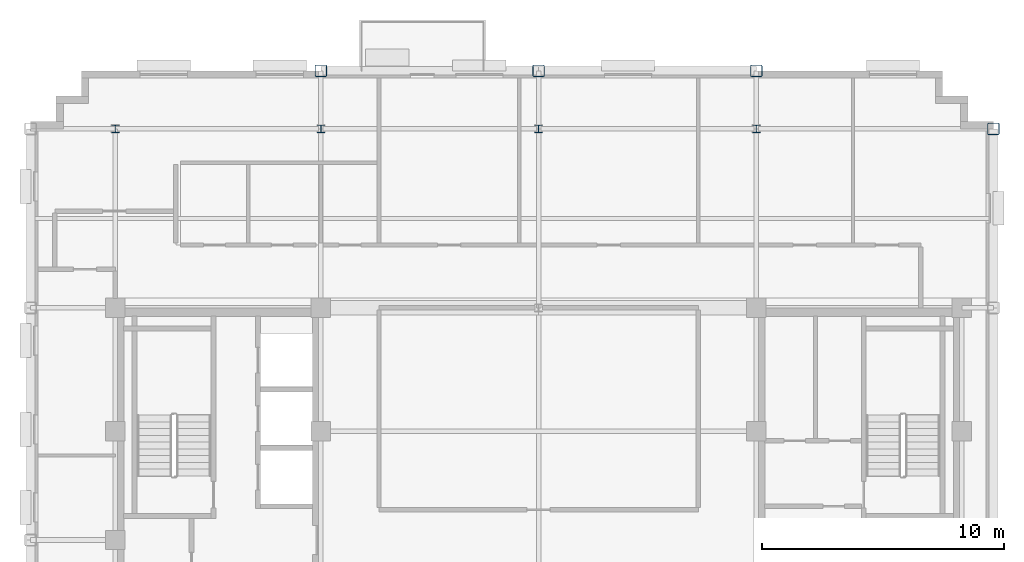
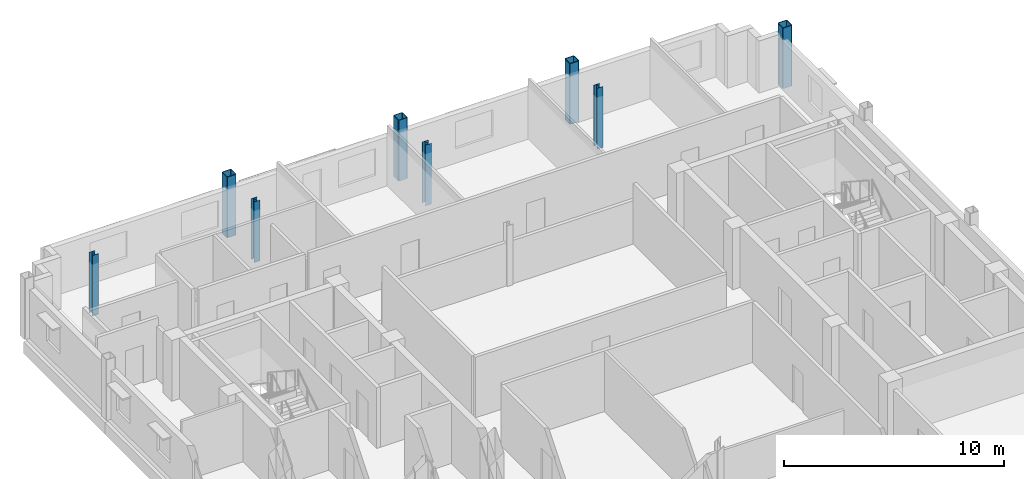
# One storey, part 3 of 13: 8 columns.
"""IFC4 building model written with IfcOpenShell, lengths in metres."""

from ifc_helpers import new_model, si_unit, direction, frame, origin, origin_2d, place, context, subcontext, project, spatial, hollow_rectangle, i_section, extrude, material, material_profile, profile_set, type_object, element, save


model = new_model("IFC4")

# Units and contexts
model_context = context("Model", 3, precision=1e-05, world=origin(), true_north=direction((0.0, 1.0)))
body_context = subcontext(model_context, "Body", "Model", "MODEL_VIEW")
ifc_project = project(units=[si_unit("LENGTHUNIT", "METRE"), si_unit("AREAUNIT", "SQUARE_METRE"), si_unit("VOLUMEUNIT", "CUBIC_METRE"), si_unit("PLANEANGLEUNIT", "RADIAN"), si_unit("MASSUNIT", "GRAM", prefix="KILO")], contexts=[model_context])

# Site, building, storey
site_placement = place(None, origin())
site = spatial("IfcSite", under=ifc_project, at=site_placement, CompositionType="ELEMENT")
building_placement = place(site_placement, origin())
building = spatial("IfcBuilding", under=site, at=building_placement, Name="Nuvemarco Arch Tower", CompositionType="ELEMENT")
storey_placement = place(building_placement, frame((0.0, 0.0, 257.949951171875)))
storey = spatial("IfcBuildingStorey", under=building, at=storey_placement, Name="L68", CompositionType="ELEMENT", Elevation=257.949951171875)

# Columns
ifc_material = material(Name="Steel S355", Category="steel")
ifc_material_profile_1 = material_profile(ifc_material, hollow_rectangle(XDim=0.5, YDim=0.5, WallThickness=0.031982421875, InnerFilletRadius=0.031982421875, OuterFilletRadius=0.06396484375, at=origin_2d()), Name="SHS500x500x32")
ifc_profile_set_1 = profile_set([ifc_material_profile_1], Name="Steel S355")
column_type_1 = type_object("IfcColumnType", Name="COL-EXO-500", PredefinedType="COLUMN", material=ifc_profile_set_1)
for number, where, z_axis, x_axis, name in (
    (1, (18.800048828125, 17.0, 0.0), (0.0, 0.0, 1.0), (1.0, 0.0, 0.0), "L68 column CX_+18.8_+17.0"),
    (2, (-9.0, 19.39990234375, 0.0), (0.0, 0.0, 1.0), (1.0, 0.0, 0.0), "L68 column CY_-9.0_+19.4"),
    (3, (0.0, 19.39990234375, 0.0), (0.0, 0.0, 1.0), (1.0, 0.0, 0.0), "L68 column CY_+0.0_+19.4"),
    (4, (9.0, 19.39990234375, 0.0), (0.0, 0.0, 1.0), (1.0, 0.0, 0.0), "L68 column CY_+9.0_+19.4"),
):
    element("IfcColumn", number, at=place(storey_placement, frame(where, z_axis=z_axis, x_axis=x_axis)), inside=storey, type_object=column_type_1, Name=name, PredefinedType="COLUMN", context=body_context, shape_type="SweptSolid", body=[
        extrude(hollow_rectangle(XDim=0.5, YDim=0.5, WallThickness=0.031982421875, InnerFilletRadius=0.031982421875, OuterFilletRadius=0.06396484375, at=origin_2d()), origin(), (0.0, 0.0, 1.0), 3.3701171875),
    ])
ifc_material_profile_2 = material_profile(ifc_material, i_section(OverallWidth=0.31005859375, OverallDepth=0.31005859375, WebThickness=0.015380859375, FlangeThickness=0.015380859375, FilletRadius=0.014892578125, at=origin_2d()), Name="HP310x110")
ifc_profile_set_2 = profile_set([ifc_material_profile_2], Name="Steel S355")
column_type_2 = type_object("IfcColumnType", Name="COL-STL-HP310", PredefinedType="COLUMN", material=ifc_profile_set_2)
for number, where, z_axis, x_axis, name in (
    (5, (0.0, 17.0, 0.0), (0.0, 0.0, 1.0), (1.0, 0.0, 0.0), "L68 column CI_+0.0_+17.0"),
    (6, (-17.5, 17.0, 0.0), (0.0, 0.0, 1.0), (1.0, 0.0, 0.0), "L68 column CI_-17.5_+17.0"),
    (7, (-9.0, 17.0, 0.0), (0.0, 0.0, 1.0), (1.0, 0.0, 0.0), "L68 column CI_-9.0_+17.0"),
    (8, (9.0, 17.0, 0.0), (0.0, 0.0, 1.0), (1.0, 0.0, 0.0), "L68 column CI_+9.0_+17.0"),
):
    element("IfcColumn", number, at=place(storey_placement, frame(where, z_axis=z_axis, x_axis=x_axis)), inside=storey, type_object=column_type_2, Name=name, PredefinedType="COLUMN", context=body_context, shape_type="SweptSolid", body=[
        extrude(i_section(OverallWidth=0.31005859375, OverallDepth=0.31005859375, WebThickness=0.015380859375, FlangeThickness=0.015380859375, FilletRadius=0.014892578125, at=origin_2d()), origin(), (0.0, 0.0, 1.0), 3.3701171875),
    ])

save(model, "model.ifc")
